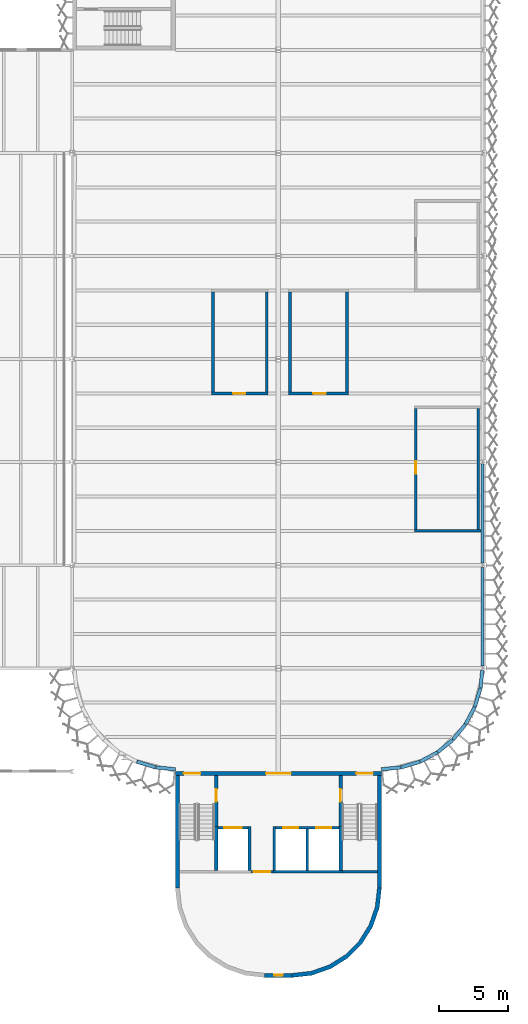
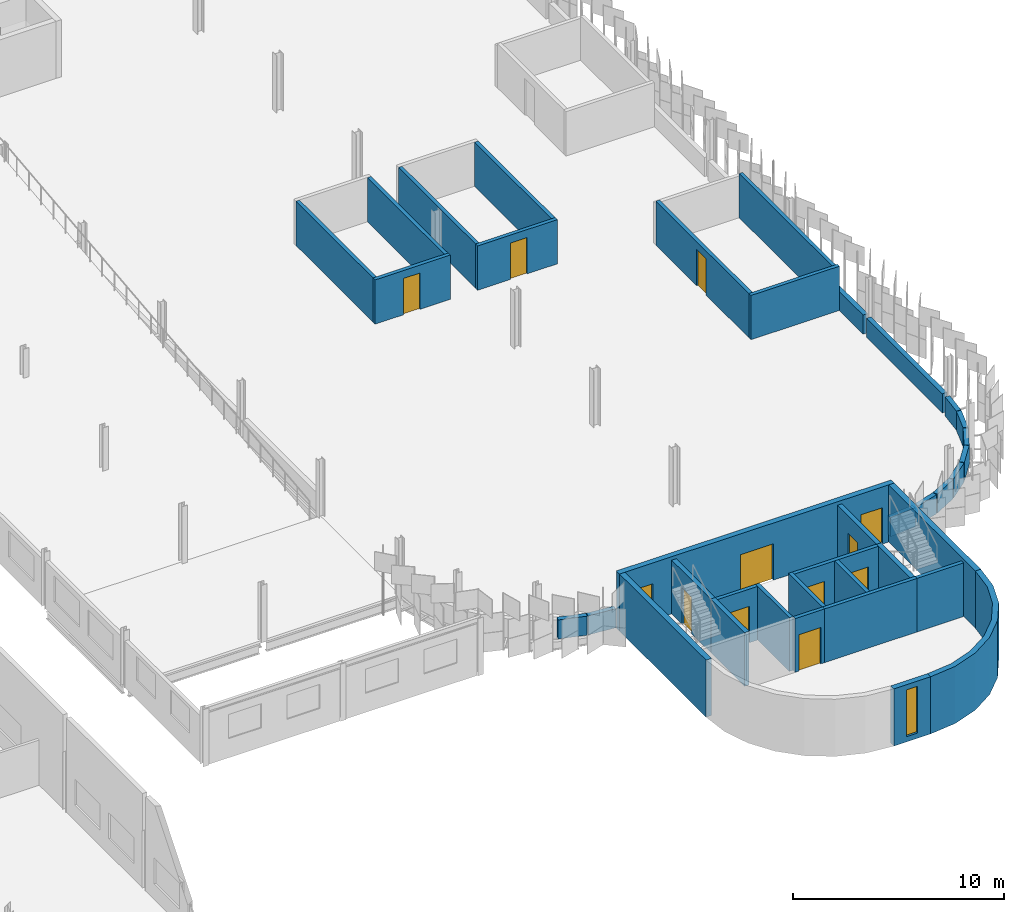
# One storey, part 56 of 198: 38 walls, 12 doors, 1 window, 13 openings.
"""IFC4 building model written with IfcOpenShell, lengths in metres."""

from ifc_helpers import new_model, si_unit, direction, frame, frame_2d, origin, place, context, subcontext, project, spatial, polyline, rectangle, outline, extrude, material, layer, layer_set, type_object, element, fill, save


model = new_model("IFC4")

# Units and contexts
model_context = context("Model", 3, precision=1e-05, world=origin(), true_north=direction((0.0, 1.0)))
body_context = subcontext(model_context, "Body", "Model", "MODEL_VIEW")
ifc_project = project(units=[si_unit("LENGTHUNIT", "METRE"), si_unit("AREAUNIT", "SQUARE_METRE"), si_unit("VOLUMEUNIT", "CUBIC_METRE"), si_unit("PLANEANGLEUNIT", "RADIAN"), si_unit("MASSUNIT", "GRAM", prefix="KILO")], contexts=[model_context])

# Site, building, storey
site_placement = place(None, origin())
site = spatial("IfcSite", under=ifc_project, at=site_placement, CompositionType="ELEMENT")
building_placement = place(site_placement, origin())
building = spatial("IfcBuilding", under=site, at=building_placement, Name="Parallax Yard Mobility Hub", CompositionType="ELEMENT")
storey_placement = place(building_placement, frame((0.0, 0.0, 6.60009765625)))
storey = spatial("IfcBuildingStorey", under=building, at=storey_placement, Name="L02", CompositionType="ELEMENT", Elevation=6.60009765625)

# Wall, openings, doors
ifc_material_1 = material(Name="Concrete fc' 35 MPa", Category="concrete")
ifc_layer_1 = layer(ifc_material_1, 0.300048828125)
ifc_layer_set_1 = layer_set([ifc_layer_1], Name="Concrete fc' 35 MPa core wall 300")
wall_type_1 = type_object("IfcWallType", Name="Concrete fc' 35 MPa core wall 300", PredefinedType="SHEAR", material=ifc_layer_set_1)
wall_1_placement = place(storey_placement, frame((202.5, 22.35009765625, 0.0), z_axis=(0.0, 0.0, 1.0), x_axis=(1.0, 0.0, 0.0)))
wall_1 = element("IfcWall", 1, at=wall_1_placement, inside=storey, type_object=wall_type_1, Name="Core C-S entry wall level L02", PredefinedType="SHEAR", context=body_context, shape_type="SweptSolid", body=[
    extrude(rectangle(XDim=15.0, YDim=0.300048828125, at=frame_2d((7.5, 0.0))), origin(), (0.0, 0.0, 1.0), 3.2998046875),
])
opening_1_placement = place(wall_1_placement, frame((13.179931640625, 0.0, 0.0)))
opening_1 = element("IfcOpeningElement", 2, at=opening_1_placement, cuts=wall_1, Name="Opening L02-D724", PredefinedType="OPENING", context=body_context, shape_type="SweptSolid", body=[
    extrude(rectangle(XDim=1.199951171875, YDim=2.10009765625, at=frame_2d((0.60009765625, 1.050048828125))), frame((0.0, 0.16015625, 0.0), z_axis=(0.0, -1.0, 0.0), x_axis=(1.0, 0.0, 0.0)), (0.0, 0.0, 1.0), 0.320068359375),
])
opening_2_placement = place(wall_1_placement, frame((0.6201171875, 0.0, 0.0)))
opening_2 = element("IfcOpeningElement", 3, at=opening_2_placement, cuts=wall_1, Name="Opening L02-D725", PredefinedType="OPENING", context=body_context, shape_type="SweptSolid", body=[
    extrude(rectangle(XDim=1.199951171875, YDim=2.10009765625, at=frame_2d((0.60009765625, 1.050048828125))), frame((0.0, 0.16015625, 0.0), z_axis=(0.0, -1.0, 0.0), x_axis=(1.0, 0.0, 0.0)), (0.0, 0.0, 1.0), 0.320068359375),
])
opening_3_placement = place(wall_1_placement, frame((6.60009765625, 0.0, 0.0)))
opening_3 = element("IfcOpeningElement", 4, at=opening_3_placement, cuts=wall_1, Name="Opening L02-D726", PredefinedType="OPENING", context=body_context, shape_type="SweptSolid", body=[
    extrude(rectangle(XDim=1.800048828125, YDim=2.10009765625, at=frame_2d((0.89990234375, 1.050048828125))), frame((0.0, 0.16015625, 0.0), z_axis=(0.0, -1.0, 0.0), x_axis=(1.0, 0.0, 0.0)), (0.0, 0.0, 1.0), 0.320068359375),
])
ifc_material_2 = material(Name="Hollow metal steel door and frame", Category="steel")
door_type_1 = type_object("IfcDoorType", Name="Core door 1200 x 2100 FD90", OperationType="NOTDEFINED", PredefinedType="DOOR", material=ifc_material_2)
door_1_placement = place(opening_1_placement, origin())
door_1 = element("IfcDoor", 5, at=door_1_placement, inside=storey, type_object=door_type_1, Name="Stair deck door L02-D724, core C-S level L02", OperationType="SINGLE_SWING_RIGHT", OverallHeight=2.10009765625, OverallWidth=1.199951171875, PredefinedType="DOOR", context=body_context, shape_type="SweptSolid", body=[
    extrude(rectangle(XDim=1.199951171875, YDim=2.10009765625, at=frame_2d((0.60009765625, 1.050048828125))), frame((0.0, 0.02490234375, 0.0), z_axis=(0.0, -1.0, 0.0), x_axis=(1.0, 0.0, 0.0)), (0.0, 0.0, 1.0), 0.050048828125),
])
fill(opening_1, door_1)
door_2_placement = place(opening_2_placement, origin())
door_2 = element("IfcDoor", 6, at=door_2_placement, inside=storey, type_object=door_type_1, Name="Stair deck door L02-D725, core C-S level L02", OperationType="SINGLE_SWING_LEFT", OverallHeight=2.10009765625, OverallWidth=1.199951171875, PredefinedType="DOOR", context=body_context, shape_type="SweptSolid", body=[
    extrude(rectangle(XDim=1.199951171875, YDim=2.10009765625, at=frame_2d((0.60009765625, 1.050048828125))), frame((0.0, 0.02490234375, 0.0), z_axis=(0.0, -1.0, 0.0), x_axis=(1.0, 0.0, 0.0)), (0.0, 0.0, 1.0), 0.050048828125),
])
fill(opening_2, door_2)
door_type_2 = type_object("IfcDoorType", Name="Core double door 1800 x 2100 FD90", OperationType="NOTDEFINED", PredefinedType="DOOR", material=ifc_material_2)
door_3_placement = place(opening_3_placement, origin())
door_3 = element("IfcDoor", 7, at=door_3_placement, inside=storey, type_object=door_type_2, Name="Lift lobby door L02-D726, core C-S level L02", OperationType="DOUBLE_DOOR_SINGLE_SWING", OverallHeight=2.10009765625, OverallWidth=1.800048828125, PredefinedType="DOOR", context=body_context, shape_type="SweptSolid", body=[
    extrude(rectangle(XDim=1.800048828125, YDim=2.10009765625, at=frame_2d((0.89990234375, 1.050048828125))), frame((0.0, 0.02490234375, 0.0), z_axis=(0.0, -1.0, 0.0), x_axis=(1.0, 0.0, 0.0)), (0.0, 0.0, 1.0), 0.050048828125),
])
fill(opening_3, door_3)

# Wall, opening, window
wall_2_placement = place(storey_placement, frame((211.0, 7.64990234375, 0.0), z_axis=(0.0, 0.0, 1.0), x_axis=(-1.0, 0.0, 0.0)))
wall_2 = element("IfcWall", 8, at=wall_2_placement, inside=storey, type_object=wall_type_1, Name="Core C-S back wall level L02", PredefinedType="SHEAR", context=body_context, shape_type="SweptSolid", body=[
    extrude(rectangle(XDim=2.0, YDim=0.300048828125, at=frame_2d((1.0, 0.0))), origin(), (0.0, 0.0, 1.0), 3.2998046875),
])
opening_4_placement = place(wall_2_placement, frame((0.699951171875, 0.0, 0.300048828125)))
opening_4 = element("IfcOpeningElement", 9, at=opening_4_placement, cuts=wall_2, Name="Opening CW-S1", PredefinedType="OPENING", context=body_context, shape_type="SweptSolid", body=[
    extrude(rectangle(XDim=0.60009765625, YDim=2.699951171875, at=frame_2d((0.300048828125, 1.35009765625))), frame((0.0, 0.16015625, 0.0), z_axis=(0.0, -1.0, 0.0), x_axis=(1.0, 0.0, 0.0)), (0.0, 0.0, 1.0), 0.320068359375),
])
ifc_material_3 = material(Name="Fire-resisting glazing in a steel frame", Category="steel")
window_type = type_object("IfcWindowType", Name="Core slot window 600 x 2700", PartitioningType="SINGLE_PANEL", PredefinedType="WINDOW", material=ifc_material_3)
window_placement = place(opening_4_placement, origin())
window = element("IfcWindow", 10, at=window_placement, inside=storey, type_object=window_type, Name="Glazed slot 1, core C-S level L02", OverallHeight=2.699951171875, OverallWidth=0.60009765625, PartitioningType="SINGLE_PANEL", PredefinedType="WINDOW", context=body_context, shape_type="SweptSolid", body=[
    extrude(rectangle(XDim=0.60009765625, YDim=2.699951171875, at=frame_2d((0.300048828125, 1.35009765625))), frame((0.0, 0.030029296875, 0.0), z_axis=(0.0, -1.0, 0.0), x_axis=(1.0, 0.0, 0.0)), (0.0, 0.0, 1.0), 0.06005859375),
])
fill(opening_4, window)

# Walls
for number, where, z_axis, x_axis, name in (
    (11, (217.35009765625, 22.199951171875, 0.0), (0.0, 0.0, 1.0), (0.0, -1.0, 0.0), "Core C-S west-side end wall level L02"),
    (12, (202.64990234375, 14.0, 0.0), (0.0, 0.0, 1.0), (0.0, 1.0, 0.0), "Core C-S east-side end wall level L02"),
):
    element("IfcWall", number, at=place(storey_placement, frame(where, z_axis=z_axis, x_axis=x_axis)), inside=storey, type_object=wall_type_1, Name=name, PredefinedType="SHEAR", context=body_context, shape_type="SweptSolid", body=[
        extrude(rectangle(XDim=8.199951171875, YDim=0.300048828125, at=frame_2d((4.10009765625, 0.0))), origin(), (0.0, 0.0, 1.0), 3.2998046875),
    ])
wall_3_placement = place(storey_placement, origin())
element("IfcWall", 13, at=wall_3_placement, inside=storey, type_object=wall_type_1, Name="Core C-S rounded corner west level L02", PredefinedType="SHEAR", context=body_context, shape_type="SweptSolid", body=[
    extrude(outline(polyline([(217.5, 14.0), (217.3369140625, 12.5537109375), (216.856201171875, 11.1796875), (216.081787109375, 9.947265625), (215.052734375, 8.918212890625), (213.8203125, 8.143798828125), (212.4462890625, 7.6630859375), (211.0, 7.5), (211.0, 7.800048828125), (212.379638671875, 7.955322265625), (213.690185546875, 8.4140625), (214.865478515625, 9.152587890625), (215.847412109375, 10.134521484375), (216.5859375, 11.309814453125), (217.044677734375, 12.620361328125), (217.199951171875, 14.0), (217.5, 14.0)])), origin(), (0.0, 0.0, 1.0), 3.2998046875),
])

# Wall, openings, doors
ifc_layer_2 = layer(ifc_material_1, 0.199951171875)
ifc_layer_set_2 = layer_set([ifc_layer_2], Name="Concrete fc' 35 MPa internal core wall 200")
wall_type_2 = type_object("IfcWallType", Name="Concrete fc' 35 MPa internal core wall 200", PredefinedType="STANDARD", material=ifc_layer_set_2)
wall_4_placement = place(storey_placement, frame((214.39990234375, 18.39990234375, 0.0), z_axis=(0.0, 0.0, 1.0), x_axis=(-1.0, 0.0, 0.0)))
wall_4 = element("IfcWall", 14, at=wall_4_placement, inside=storey, type_object=wall_type_2, Name="Core C-S lift front 1 part 1 level L02", PredefinedType="STANDARD", context=body_context, shape_type="SweptSolid", body=[
    extrude(rectangle(XDim=4.599853515625, YDim=0.199951171875, at=frame_2d((2.2998046875, 0.0))), origin(), (0.0, 0.0, 1.0), 3.099853515625),
])
opening_5_placement = place(wall_4_placement, frame((0.550048828125, 0.0, 0.0)))
opening_5 = element("IfcOpeningElement", 15, at=opening_5_placement, cuts=wall_4, Name="Opening L02-D729", PredefinedType="OPENING", context=body_context, shape_type="SweptSolid", body=[
    extrude(rectangle(XDim=1.10009765625, YDim=2.10009765625, at=frame_2d((0.550048828125, 1.050048828125))), frame((0.0, 0.10986328125, 0.0), z_axis=(0.0, -1.0, 0.0), x_axis=(1.0, 0.0, 0.0)), (0.0, 0.0, 1.0), 0.219970703125),
])
opening_6_placement = place(wall_4_placement, frame((2.949951171875, 0.0, 0.0)))
opening_6 = element("IfcOpeningElement", 16, at=opening_6_placement, cuts=wall_4, Name="Opening L02-D730", PredefinedType="OPENING", context=body_context, shape_type="SweptSolid", body=[
    extrude(rectangle(XDim=1.10009765625, YDim=2.10009765625, at=frame_2d((0.550048828125, 1.050048828125))), frame((0.0, 0.10986328125, 0.0), z_axis=(0.0, -1.0, 0.0), x_axis=(1.0, 0.0, 0.0)), (0.0, 0.0, 1.0), 0.219970703125),
])
ifc_material_4 = material(Name="Stainless steel sliding door and frame", Category="steel")
door_type_3 = type_object("IfcDoorType", Name="Lift landing door 1100 x 2100 FD90", OperationType="DOUBLE_DOOR_SLIDING", PredefinedType="DOOR", material=ifc_material_4)
door_4_placement = place(opening_5_placement, origin())
door_4 = element("IfcDoor", 17, at=door_4_placement, inside=storey, type_object=door_type_3, Name="Lift landing door L02-D729, core C-S level L02", OperationType="DOUBLE_DOOR_SLIDING", OverallHeight=2.10009765625, OverallWidth=1.10009765625, PredefinedType="DOOR", context=body_context, shape_type="SweptSolid", body=[
    extrude(rectangle(XDim=1.10009765625, YDim=2.10009765625, at=frame_2d((0.550048828125, 1.050048828125))), frame((0.0, 0.02490234375, 0.0), z_axis=(0.0, -1.0, 0.0), x_axis=(1.0, 0.0, 0.0)), (0.0, 0.0, 1.0), 0.050048828125),
])
fill(opening_5, door_4)
door_5_placement = place(opening_6_placement, origin())
door_5 = element("IfcDoor", 18, at=door_5_placement, inside=storey, type_object=door_type_3, Name="Lift landing door L02-D730, core C-S level L02", OperationType="DOUBLE_DOOR_SLIDING", OverallHeight=2.10009765625, OverallWidth=1.10009765625, PredefinedType="DOOR", context=body_context, shape_type="SweptSolid", body=[
    extrude(rectangle(XDim=1.10009765625, YDim=2.10009765625, at=frame_2d((0.550048828125, 1.050048828125))), frame((0.0, 0.02490234375, 0.0), z_axis=(0.0, -1.0, 0.0), x_axis=(1.0, 0.0, 0.0)), (0.0, 0.0, 1.0), 0.050048828125),
])
fill(opening_6, door_5)

# Wall, opening, door
wall_5_placement = place(storey_placement, frame((207.800048828125, 18.39990234375, 0.0), z_axis=(0.0, 0.0, 1.0), x_axis=(-1.0, 0.0, 0.0)))
wall_5 = element("IfcWall", 19, at=wall_5_placement, inside=storey, type_object=wall_type_2, Name="Core C-S lift front 2 part 2 level L02", PredefinedType="STANDARD", context=body_context, shape_type="SweptSolid", body=[
    extrude(rectangle(XDim=2.199951171875, YDim=0.199951171875, at=frame_2d((1.10009765625, 0.0))), origin(), (0.0, 0.0, 1.0), 3.099853515625),
])
opening_7_placement = place(wall_5_placement, frame((0.449951171875, 0.0, 0.0)))
opening_7 = element("IfcOpeningElement", 20, at=opening_7_placement, cuts=wall_5, Name="Opening L02-D731", PredefinedType="OPENING", context=body_context, shape_type="SweptSolid", body=[
    extrude(rectangle(XDim=1.300048828125, YDim=2.10009765625, at=frame_2d((0.64990234375, 1.050048828125))), frame((0.0, 0.10986328125, 0.0), z_axis=(0.0, -1.0, 0.0), x_axis=(1.0, 0.0, 0.0)), (0.0, 0.0, 1.0), 0.219970703125),
])
door_type_4 = type_object("IfcDoorType", Name="Goods lift landing door 1300 x 2100 FD90", OperationType="DOUBLE_DOOR_SLIDING", PredefinedType="DOOR", material=ifc_material_4)
door_6_placement = place(opening_7_placement, origin())
door_6 = element("IfcDoor", 21, at=door_6_placement, inside=storey, type_object=door_type_4, Name="Lift landing door L02-D731, core C-S level L02", OperationType="DOUBLE_DOOR_SLIDING", OverallHeight=2.10009765625, OverallWidth=1.300048828125, PredefinedType="DOOR", context=body_context, shape_type="SweptSolid", body=[
    extrude(rectangle(XDim=1.300048828125, YDim=2.10009765625, at=frame_2d((0.64990234375, 1.050048828125))), frame((0.0, 0.02490234375, 0.0), z_axis=(0.0, -1.0, 0.0), x_axis=(1.0, 0.0, 0.0)), (0.0, 0.0, 1.0), 0.050048828125),
])
fill(opening_7, door_6)

# Walls
wall_6_placement = place(storey_placement, frame((212.10009765625, 18.300048828125, 0.0), z_axis=(0.0, 0.0, 1.0), x_axis=(0.0, -1.0, 0.0)))
element("IfcWall", 22, at=wall_6_placement, inside=storey, type_object=wall_type_2, Name="Core C-S lift wall 1 part 1 level L02", PredefinedType="STANDARD", context=body_context, shape_type="SweptSolid", body=[
    extrude(rectangle(XDim=3.0, YDim=0.199951171875, at=frame_2d((1.5, 0.0))), origin(), (0.0, 0.0, 1.0), 3.099853515625),
])
for number, where, z_axis, x_axis, name in (
    (23, (209.699951171875, 18.5, 0.0), (0.0, 0.0, 1.0), (0.0, -1.0, 0.0), "Core C-S lift wall 2 part 2 level L02"),
    (24, (207.89990234375, 18.5, 0.0), (0.0, 0.0, 1.0), (0.0, -1.0, 0.0), "Core C-S lift wall 3 part 3 level L02"),
):
    element("IfcWall", number, at=place(storey_placement, frame(where, z_axis=z_axis, x_axis=x_axis)), inside=storey, type_object=wall_type_2, Name=name, PredefinedType="STANDARD", context=body_context, shape_type="SweptSolid", body=[
        extrude(rectangle(XDim=3.199951171875, YDim=0.199951171875, at=frame_2d((1.60009765625, 0.0))), origin(), (0.0, 0.0, 1.0), 3.099853515625),
    ])
wall_7_placement = place(storey_placement, frame((217.199951171875, 15.199951171875, 0.0), z_axis=(0.0, 0.0, 1.0), x_axis=(-1.0, 0.0, 0.0)))
element("IfcWall", 25, at=wall_7_placement, inside=storey, type_object=wall_type_2, Name="Core C-S plant wall 1 part 1 level L02", PredefinedType="STANDARD", context=body_context, shape_type="SweptSolid", body=[
    extrude(rectangle(XDim=2.550048828125, YDim=0.199951171875, at=frame_2d((1.27490234375, 0.0))), origin(), (0.0, 0.0, 1.0), 3.099853515625),
])
wall_8_placement = place(storey_placement, frame((214.64990234375, 15.199951171875, 0.0), z_axis=(0.0, 0.0, 1.0), x_axis=(-1.0, 0.0, 0.0)))
element("IfcWall", 26, at=wall_8_placement, inside=storey, type_object=wall_type_2, Name="Core C-S plant wall 2 part 2 level L02", PredefinedType="STANDARD", context=body_context, shape_type="SweptSolid", body=[
    extrude(rectangle(XDim=5.0498046875, YDim=0.199951171875, at=frame_2d((2.52490234375, 0.0))), origin(), (0.0, 0.0, 1.0), 3.099853515625),
])

# Wall, opening, door
wall_9_placement = place(storey_placement, frame((209.60009765625, 15.199951171875, 0.0), z_axis=(0.0, 0.0, 1.0), x_axis=(-1.0, 0.0, 0.0)))
wall_9 = element("IfcWall", 27, at=wall_9_placement, inside=storey, type_object=wall_type_2, Name="Core C-S plant wall 3 part 3 level L02", PredefinedType="STANDARD", context=body_context, shape_type="SweptSolid", body=[
    extrude(rectangle(XDim=1.60009765625, YDim=0.199951171875, at=frame_2d((0.800048828125, 0.0))), origin(), (0.0, 0.0, 1.0), 3.099853515625),
])
opening_8_placement = place(wall_9_placement, frame((0.199951171875, 0.0, 0.0)))
opening_8 = element("IfcOpeningElement", 28, at=opening_8_placement, cuts=wall_9, Name="Opening L02-D732", PredefinedType="OPENING", context=body_context, shape_type="SweptSolid", body=[
    extrude(rectangle(XDim=1.199951171875, YDim=2.10009765625, at=frame_2d((0.60009765625, 1.050048828125))), frame((0.0, 0.10986328125, 0.0), z_axis=(0.0, -1.0, 0.0), x_axis=(1.0, 0.0, 0.0)), (0.0, 0.0, 1.0), 0.219970703125),
])
door_7_placement = place(opening_8_placement, origin())
door_7 = element("IfcDoor", 29, at=door_7_placement, inside=storey, type_object=door_type_1, Name="Plant room door L02-D732, core C-S level L02", OperationType="SINGLE_SWING_RIGHT", OverallHeight=2.10009765625, OverallWidth=1.199951171875, PredefinedType="DOOR", context=body_context, shape_type="SweptSolid", body=[
    extrude(rectangle(XDim=1.199951171875, YDim=2.10009765625, at=frame_2d((0.60009765625, 1.050048828125))), frame((0.0, 0.02490234375, 0.0), z_axis=(0.0, -1.0, 0.0), x_axis=(1.0, 0.0, 0.0)), (0.0, 0.0, 1.0), 0.050048828125),
])
fill(opening_8, door_7)

ifc_layer_3 = layer(ifc_material_1, 0.25)
ifc_layer_set_3 = layer_set([ifc_layer_3], Name="Concrete fc' 35 MPa stair enclosure wall 250")
wall_type_3 = type_object("IfcWallType", Name="Concrete fc' 35 MPa stair enclosure wall 250", PredefinedType="STANDARD", material=ifc_layer_set_3)
wall_10_placement = place(storey_placement, frame((214.52490234375, 22.199951171875, 0.0), z_axis=(0.0, 0.0, 1.0), x_axis=(0.0, -1.0, 0.0)))
wall_10 = element("IfcWall", 30, at=wall_10_placement, inside=storey, type_object=wall_type_3, Name="Core C-S stair 1 partition 1 part 1 level L02", PredefinedType="STANDARD", context=body_context, shape_type="SweptSolid", body=[
    extrude(rectangle(XDim=3.699951171875, YDim=0.25, at=frame_2d((1.85009765625, 0.0))), origin(), (0.0, 0.0, 1.0), 3.099853515625),
])
opening_9_placement = place(wall_10_placement, frame((1.0, 0.0, 0.0)))
opening_9 = element("IfcOpeningElement", 31, at=opening_9_placement, cuts=wall_10, Name="Opening L02-D727", PredefinedType="OPENING", context=body_context, shape_type="SweptSolid", body=[
    extrude(rectangle(XDim=0.89990234375, YDim=2.10009765625, at=frame_2d((0.449951171875, 1.050048828125))), frame((0.0, 0.135009765625, 0.0), z_axis=(0.0, -1.0, 0.0), x_axis=(1.0, 0.0, 0.0)), (0.0, 0.0, 1.0), 0.27001953125),
])
door_type_5 = type_object("IfcDoorType", Name="Core door 900 x 2100 FD90", OperationType="NOTDEFINED", PredefinedType="DOOR", material=ifc_material_2)
door_8_placement = place(opening_9_placement, origin())
door_8 = element("IfcDoor", 32, at=door_8_placement, inside=storey, type_object=door_type_5, Name="Stair lobby door L02-D727, core C-S level L02", OperationType="SINGLE_SWING_LEFT", OverallHeight=2.10009765625, OverallWidth=0.89990234375, PredefinedType="DOOR", context=body_context, shape_type="SweptSolid", body=[
    extrude(rectangle(XDim=0.89990234375, YDim=2.10009765625, at=frame_2d((0.449951171875, 1.050048828125))), frame((0.0, 0.02490234375, 0.0), z_axis=(0.0, -1.0, 0.0), x_axis=(1.0, 0.0, 0.0)), (0.0, 0.0, 1.0), 0.050048828125),
])
fill(opening_9, door_8)

# Wall
wall_11_placement = place(storey_placement, frame((214.52490234375, 18.5, 0.0), z_axis=(0.0, 0.0, 1.0), x_axis=(0.0, -1.0, 0.0)))
element("IfcWall", 33, at=wall_11_placement, inside=storey, type_object=wall_type_3, Name="Core C-S stair 1 partition 2 part 2 level L02", PredefinedType="STANDARD", context=body_context, shape_type="SweptSolid", body=[
    extrude(rectangle(XDim=3.199951171875, YDim=0.25, at=frame_2d((1.60009765625, 0.0))), origin(), (0.0, 0.0, 1.0), 3.099853515625),
])

# Wall, opening, door
wall_12_placement = place(storey_placement, frame((205.47509765625, 18.5, 0.0), z_axis=(0.0, 0.0, 1.0), x_axis=(0.0, 1.0, 0.0)))
wall_12 = element("IfcWall", 34, at=wall_12_placement, inside=storey, type_object=wall_type_3, Name="Core C-S stair 2 partition 1 part 1 level L02", PredefinedType="STANDARD", context=body_context, shape_type="SweptSolid", body=[
    extrude(rectangle(XDim=3.699951171875, YDim=0.25, at=frame_2d((1.85009765625, 0.0))), origin(), (0.0, 0.0, 1.0), 3.099853515625),
])
opening_10_placement = place(wall_12_placement, frame((1.800048828125, 0.0, 0.0)))
opening_10 = element("IfcOpeningElement", 35, at=opening_10_placement, cuts=wall_12, Name="Opening L02-D728", PredefinedType="OPENING", context=body_context, shape_type="SweptSolid", body=[
    extrude(rectangle(XDim=0.89990234375, YDim=2.10009765625, at=frame_2d((0.449951171875, 1.050048828125))), frame((0.0, 0.135009765625, 0.0), z_axis=(0.0, -1.0, 0.0), x_axis=(1.0, 0.0, 0.0)), (0.0, 0.0, 1.0), 0.27001953125),
])
door_9_placement = place(opening_10_placement, origin())
door_9 = element("IfcDoor", 36, at=door_9_placement, inside=storey, type_object=door_type_5, Name="Stair lobby door L02-D728, core C-S level L02", OperationType="SINGLE_SWING_RIGHT", OverallHeight=2.10009765625, OverallWidth=0.89990234375, PredefinedType="DOOR", context=body_context, shape_type="SweptSolid", body=[
    extrude(rectangle(XDim=0.89990234375, YDim=2.10009765625, at=frame_2d((0.449951171875, 1.050048828125))), frame((0.0, 0.02490234375, 0.0), z_axis=(0.0, -1.0, 0.0), x_axis=(1.0, 0.0, 0.0)), (0.0, 0.0, 1.0), 0.050048828125),
])
fill(opening_10, door_9)

# Walls
wall_13_placement = place(storey_placement, frame((205.47509765625, 18.5, 0.0), z_axis=(0.0, 0.0, 1.0), x_axis=(0.0, -1.0, 0.0)))
element("IfcWall", 37, at=wall_13_placement, inside=storey, type_object=wall_type_3, Name="Core C-S stair 2 partition 2 part 2 level L02", PredefinedType="STANDARD", context=body_context, shape_type="SweptSolid", body=[
    extrude(rectangle(XDim=3.199951171875, YDim=0.25, at=frame_2d((1.60009765625, 0.0))), origin(), (0.0, 0.0, 1.0), 3.099853515625),
])
ifc_layer_4 = layer(ifc_material_1, 0.25)
ifc_layer_set_4 = layer_set([ifc_layer_4], Name="Deck-edge barrier wall, Concrete fc' 35 MPa precast, 250")
wall_type_4 = type_object("IfcWallType", Name="Deck-edge barrier wall, Concrete fc' 35 MPa precast, 250", PredefinedType="SOLIDWALL", material=ifc_layer_set_4)
wall_14_placement = place(storey_placement, frame((199.697998046875, 23.206298828125, 0.0), z_axis=(0.0, 0.0, 1.0), x_axis=(0.956820439927, -0.290679627319, 0.0)))
element("IfcWall", 38, at=wall_14_placement, inside=storey, type_object=wall_type_4, Name="Deck-edge barrier wall bay 30-7 level L02", PredefinedType="SOLIDWALL", context=body_context, shape_type="SweptSolid", body=[
    extrude(rectangle(XDim=1.4111328125, YDim=0.25, at=frame_2d((0.70556640625, 0.0))), origin(), (0.0, 0.0, 1.0), 1.099853515625),
])
wall_15_placement = place(storey_placement, frame((201.076904296875, 22.790283203125, 0.0), z_axis=(0.0, 0.0, 1.0), x_axis=(0.995137391066, -0.098496562898, 0.0)))
element("IfcWall", 39, at=wall_15_placement, inside=storey, type_object=wall_type_4, Name="Deck-edge barrier wall bay 30-8 level L02", PredefinedType="SOLIDWALL", context=body_context, shape_type="SweptSolid", body=[
    extrude(rectangle(XDim=1.440185546875, YDim=0.25, at=frame_2d((0.72021484375, 0.0))), origin(), (0.0, 0.0, 1.0), 1.099853515625),
])
wall_16_placement = place(storey_placement, frame((217.490478515625, 22.6484375, 0.0), z_axis=(0.0, 0.0, 1.0), x_axis=(0.995122410186, 0.098647801521, 0.0)))
element("IfcWall", 40, at=wall_16_placement, inside=storey, type_object=wall_type_4, Name="Deck-edge barrier wall bay 32-1 level L02", PredefinedType="SOLIDWALL", context=body_context, shape_type="SweptSolid", body=[
    extrude(rectangle(XDim=1.4404296875, YDim=0.25, at=frame_2d((0.72021484375, 0.0))), origin(), (0.0, 0.0, 1.0), 1.099853515625),
])
wall_17_placement = place(storey_placement, frame((218.952392578125, 22.79638671875, 0.0), z_axis=(0.0, 0.0, 1.0), x_axis=(0.956820439927, 0.290679627319, 0.0)))
element("IfcWall", 41, at=wall_17_placement, inside=storey, type_object=wall_type_4, Name="Deck-edge barrier wall bay 32-2 level L02", PredefinedType="SOLIDWALL", context=body_context, shape_type="SweptSolid", body=[
    extrude(rectangle(XDim=1.4111328125, YDim=0.25, at=frame_2d((0.70556640625, 0.0))), origin(), (0.0, 0.0, 1.0), 1.099853515625),
])
for number, where, z_axis, x_axis, name in (
    (42, (220.329345703125, 23.2177734375, 0.0), (0.0, 0.0, 1.0), (0.881767905796, 0.471683538305, 0.0), "Deck-edge barrier wall bay 32-3 level L02"),
    (43, (221.59765625, 23.899658203125, 0.0), (0.0, 0.0, 1.0), (0.772768687577, 0.634687762211, 0.0), "Deck-edge barrier wall bay 32-4 level L02"),
    (44, (222.708740234375, 24.81591796875, 0.0), (0.0, 0.0, 1.0), (0.634207883179, 0.773162570817, 0.0), "Deck-edge barrier wall bay 32-5 level L02"),
    (45, (223.61962890625, 25.93115234375, 0.0), (0.0, 0.0, 1.0), (0.47134246414, 0.881950271557, 0.0), "Deck-edge barrier wall bay 32-6 level L02"),
):
    element("IfcWall", number, at=place(storey_placement, frame(where, z_axis=z_axis, x_axis=x_axis)), inside=storey, type_object=wall_type_4, Name=name, PredefinedType="SOLIDWALL", context=body_context, shape_type="SweptSolid", body=[
        extrude(rectangle(XDim=1.410888671875, YDim=0.25, at=frame_2d((0.70556640625, 0.0))), origin(), (0.0, 0.0, 1.0), 1.099853515625),
    ])
wall_18_placement = place(storey_placement, frame((224.295654296875, 27.202392578125, 0.0), z_axis=(0.0, 0.0, 1.0), x_axis=(0.290156256793, 0.956979282244, 0.0)))
element("IfcWall", 46, at=wall_18_placement, inside=storey, type_object=wall_type_4, Name="Deck-edge barrier wall bay 32-7 level L02", PredefinedType="SOLIDWALL", context=body_context, shape_type="SweptSolid", body=[
    extrude(rectangle(XDim=1.4111328125, YDim=0.25, at=frame_2d((0.70556640625, 0.0))), origin(), (0.0, 0.0, 1.0), 1.099853515625),
])
wall_19_placement = place(storey_placement, frame((224.7109375, 28.58154296875, 0.0), z_axis=(0.0, 0.0, 1.0), x_axis=(0.097851322199, 0.995201044384, 0.0)))
element("IfcWall", 47, at=wall_19_placement, inside=storey, type_object=wall_type_4, Name="Deck-edge barrier wall bay 32-8 level L02", PredefinedType="SOLIDWALL", context=body_context, shape_type="SweptSolid", body=[
    extrude(rectangle(XDim=1.287353515625, YDim=0.25, at=frame_2d((0.6435546875, 0.0))), origin(), (0.0, 0.0, 1.0), 1.099853515625),
])
wall_20_placement = place(storey_placement, frame((224.851318359375, 30.152587890625, 0.0), z_axis=(0.0, 0.0, 1.0), x_axis=(0.000407138461, 0.999999917119, 0.0)))
element("IfcWall", 48, at=wall_20_placement, inside=storey, type_object=wall_type_4, Name="Deck-edge barrier wall bay 33 level L02", PredefinedType="SOLIDWALL", context=body_context, shape_type="SweptSolid", body=[
    extrude(rectangle(XDim=7.19580078125, YDim=0.25, at=frame_2d((3.597900390625, 0.0))), origin(), (0.0, 0.0, 1.0), 1.099853515625),
])
wall_21_placement = place(storey_placement, frame((224.854248046875, 37.651611328125, 0.0), z_axis=(0.0, 0.0, 1.0), x_axis=(0.0, 1.0, 0.0)))
element("IfcWall", 49, at=wall_21_placement, inside=storey, type_object=wall_type_4, Name="Deck-edge barrier wall bay 34 level L02", PredefinedType="SOLIDWALL", context=body_context, shape_type="SweptSolid", body=[
    extrude(rectangle(XDim=7.19677734375, YDim=0.25, at=frame_2d((3.598388671875, 0.0))), origin(), (0.0, 0.0, 1.0), 1.099853515625),
])
ifc_material_5 = material(Name="Fire-rated plasterboard partition, two layers each side")
ifc_layer_5 = layer(ifc_material_5, 0.199951171875)
ifc_layer_set_5 = layer_set([ifc_layer_5], Name="Fire-rated partition 200 mm")
wall_type_5 = type_object("IfcWallType", Name="Fire-rated partition 200 mm", PredefinedType="PARTITIONING", material=ifc_layer_set_5)
wall_22_placement = place(storey_placement, frame((219.89990234375, 40.0, 0.0), z_axis=(0.0, 0.0, 1.0), x_axis=(1.0, 0.0, 0.0)))
element("IfcWall", 50, at=wall_22_placement, inside=storey, type_object=wall_type_5, Name="Partition 12 level L02", PredefinedType="PARTITIONING", context=body_context, shape_type="SweptSolid", body=[
    extrude(rectangle(XDim=4.829345703125, YDim=0.199951171875, at=frame_2d((2.41455078125, 0.0))), origin(), (0.0, 0.0, 1.0), 2.557861328125),
])

# Wall, opening, door
wall_23_placement = place(storey_placement, frame((205.14990234375, 50.0, 0.0), z_axis=(0.0, 0.0, 1.0), x_axis=(1.0, 0.0, 0.0)))
wall_23 = element("IfcWall", 51, at=wall_23_placement, inside=storey, type_object=wall_type_5, Name="Partition 18 level L02", PredefinedType="PARTITIONING", context=body_context, shape_type="SweptSolid", body=[
    extrude(rectangle(XDim=4.10009765625, YDim=0.199951171875, at=frame_2d((2.050048828125, 0.0))), origin(), (0.0, 0.0, 1.0), 2.557861328125),
])
opening_11_placement = place(wall_23_placement, frame((1.550048828125, 0.0, 0.0)))
opening_11 = element("IfcOpeningElement", 52, at=opening_11_placement, cuts=wall_23, Name="Opening L02-D215", PredefinedType="OPENING", context=body_context, shape_type="SweptSolid", body=[
    extrude(rectangle(XDim=0.89990234375, YDim=2.10009765625, at=frame_2d((0.449951171875, 1.050048828125))), frame((0.0, 0.10986328125, 0.0), z_axis=(0.0, -1.0, 0.0), x_axis=(1.0, 0.0, 0.0)), (0.0, 0.0, 1.0), 0.219970703125),
])
ifc_material_6 = material(Name="Hollow metal fire door leaf with intumescent seals")
door_type_6 = type_object("IfcDoorType", Name="Fire door 900 mm FD60", OperationType="NOTDEFINED", PredefinedType="DOOR", material=ifc_material_6)
door_10_placement = place(opening_11_placement, origin())
door_10 = element("IfcDoor", 53, at=door_10_placement, inside=storey, type_object=door_type_6, Name="Door L02-D215 Men's WC", OperationType="SINGLE_SWING_LEFT", OverallHeight=2.10009765625, OverallWidth=0.89990234375, PredefinedType="DOOR", context=body_context, shape_type="SweptSolid", body=[
    extrude(rectangle(XDim=0.89990234375, YDim=2.10009765625, at=frame_2d((0.449951171875, 1.050048828125))), frame((0.0, 0.02490234375, 0.0), z_axis=(0.0, -1.0, 0.0), x_axis=(1.0, 0.0, 0.0)), (0.0, 0.0, 1.0), 0.050048828125),
])
fill(opening_11, door_10)

wall_24_placement = place(storey_placement, frame((210.75, 50.0, 0.0), z_axis=(0.0, 0.0, 1.0), x_axis=(1.0, 0.0, 0.0)))
wall_24 = element("IfcWall", 54, at=wall_24_placement, inside=storey, type_object=wall_type_5, Name="Partition 19 level L02", PredefinedType="PARTITIONING", context=body_context, shape_type="SweptSolid", body=[
    extrude(rectangle(XDim=4.35009765625, YDim=0.199951171875, at=frame_2d((2.175048828125, 0.0))), origin(), (0.0, 0.0, 1.0), 2.557861328125),
])
opening_12_placement = place(wall_24_placement, frame((1.800048828125, 0.0, 0.0)))
opening_12 = element("IfcOpeningElement", 55, at=opening_12_placement, cuts=wall_24, Name="Opening L02-D216", PredefinedType="OPENING", context=body_context, shape_type="SweptSolid", body=[
    extrude(rectangle(XDim=0.89990234375, YDim=2.10009765625, at=frame_2d((0.449951171875, 1.050048828125))), frame((0.0, 0.10986328125, 0.0), z_axis=(0.0, -1.0, 0.0), x_axis=(1.0, 0.0, 0.0)), (0.0, 0.0, 1.0), 0.219970703125),
])
door_11_placement = place(opening_12_placement, origin())
door_11 = element("IfcDoor", 56, at=door_11_placement, inside=storey, type_object=door_type_6, Name="Door L02-D216 Women's WC", OperationType="SINGLE_SWING_RIGHT", OverallHeight=2.10009765625, OverallWidth=0.89990234375, PredefinedType="DOOR", context=body_context, shape_type="SweptSolid", body=[
    extrude(rectangle(XDim=0.89990234375, YDim=2.10009765625, at=frame_2d((0.449951171875, 1.050048828125))), frame((0.0, 0.02490234375, 0.0), z_axis=(0.0, -1.0, 0.0), x_axis=(1.0, 0.0, 0.0)), (0.0, 0.0, 1.0), 0.050048828125),
])
fill(opening_12, door_11)

# Walls
for number, where, z_axis, x_axis, name in (
    (57, (205.25, 50.10009765625, 0.0), (0.0, 0.0, 1.0), (0.0, 1.0, 0.0), "Partition 52 level L02"),
    (58, (209.14990234375, 50.10009765625, 0.0), (0.0, 0.0, 1.0), (0.0, 1.0, 0.0), "Partition 53 level L02"),
    (59, (210.85009765625, 50.10009765625, 0.0), (0.0, 0.0, 1.0), (0.0, 1.0, 0.0), "Partition 54 level L02"),
    (60, (215.0, 50.10009765625, 0.0), (0.0, 0.0, 1.0), (0.0, 1.0, 0.0), "Partition 55 level L02"),
):
    element("IfcWall", number, at=place(storey_placement, frame(where, z_axis=z_axis, x_axis=x_axis)), inside=storey, type_object=wall_type_5, Name=name, PredefinedType="PARTITIONING", context=body_context, shape_type="SweptSolid", body=[
        extrude(rectangle(XDim=7.2998046875, YDim=0.199951171875, at=frame_2d((3.64990234375, 0.0))), origin(), (0.0, 0.0, 1.0), 2.5478515625),
    ])

# Wall, opening, door
wall_25_placement = place(storey_placement, frame((220.0, 40.10009765625, 0.0), z_axis=(0.0, 0.0, 1.0), x_axis=(0.0, 1.0, 0.0)))
wall_25 = element("IfcWall", 61, at=wall_25_placement, inside=storey, type_object=wall_type_5, Name="Partition 56 level L02", PredefinedType="PARTITIONING", context=body_context, shape_type="SweptSolid", body=[
    extrude(rectangle(XDim=8.7998046875, YDim=0.199951171875, at=frame_2d((4.39990234375, 0.0))), origin(), (0.0, 0.0, 1.0), 2.5478515625),
])
opening_13_placement = place(wall_25_placement, frame((4.050048828125, 0.0, 0.0)))
opening_13 = element("IfcOpeningElement", 62, at=opening_13_placement, cuts=wall_25, Name="Opening L02-D212", PredefinedType="OPENING", context=body_context, shape_type="SweptSolid", body=[
    extrude(rectangle(XDim=0.89990234375, YDim=2.10009765625, at=frame_2d((0.449951171875, 1.050048828125))), frame((0.0, 0.10986328125, 0.0), z_axis=(0.0, -1.0, 0.0), x_axis=(1.0, 0.0, 0.0)), (0.0, 0.0, 1.0), 0.219970703125),
])
door_12_placement = place(opening_13_placement, origin())
door_12 = element("IfcDoor", 63, at=door_12_placement, inside=storey, type_object=door_type_6, Name="Door L02-D212 Comms Room", OperationType="SINGLE_SWING_RIGHT", OverallHeight=2.10009765625, OverallWidth=0.89990234375, PredefinedType="DOOR", context=body_context, shape_type="SweptSolid", body=[
    extrude(rectangle(XDim=0.89990234375, YDim=2.10009765625, at=frame_2d((0.449951171875, 1.050048828125))), frame((0.0, 0.02490234375, 0.0), z_axis=(0.0, -1.0, 0.0), x_axis=(1.0, 0.0, 0.0)), (0.0, 0.0, 1.0), 0.050048828125),
])
fill(opening_13, door_12)

# Wall
wall_26_placement = place(storey_placement, frame((224.550048828125, 40.10009765625, 0.0), z_axis=(0.0, 0.0, 1.0), x_axis=(0.0, 1.0, 0.0)))
element("IfcWall", 64, at=wall_26_placement, inside=storey, type_object=wall_type_5, Name="Partition 58 level L02", PredefinedType="PARTITIONING", context=body_context, shape_type="SweptSolid", body=[
    extrude(rectangle(XDim=8.7998046875, YDim=0.199951171875, at=frame_2d((4.39990234375, 0.0))), origin(), (0.0, 0.0, 1.0), 2.5478515625),
])

save(model, "model.ifc")
